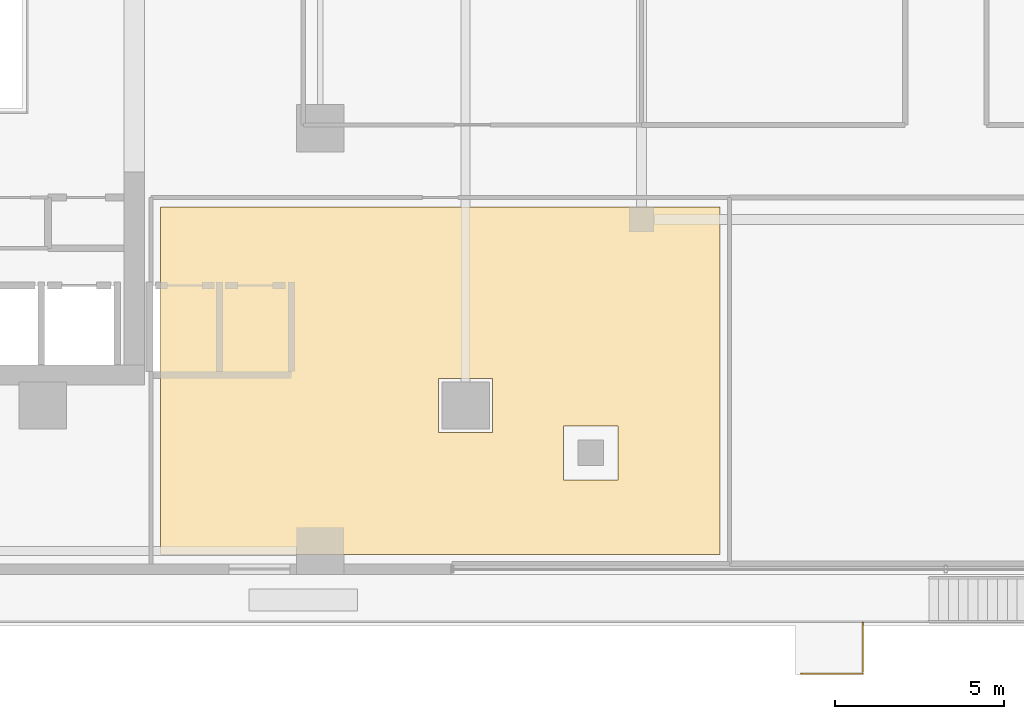
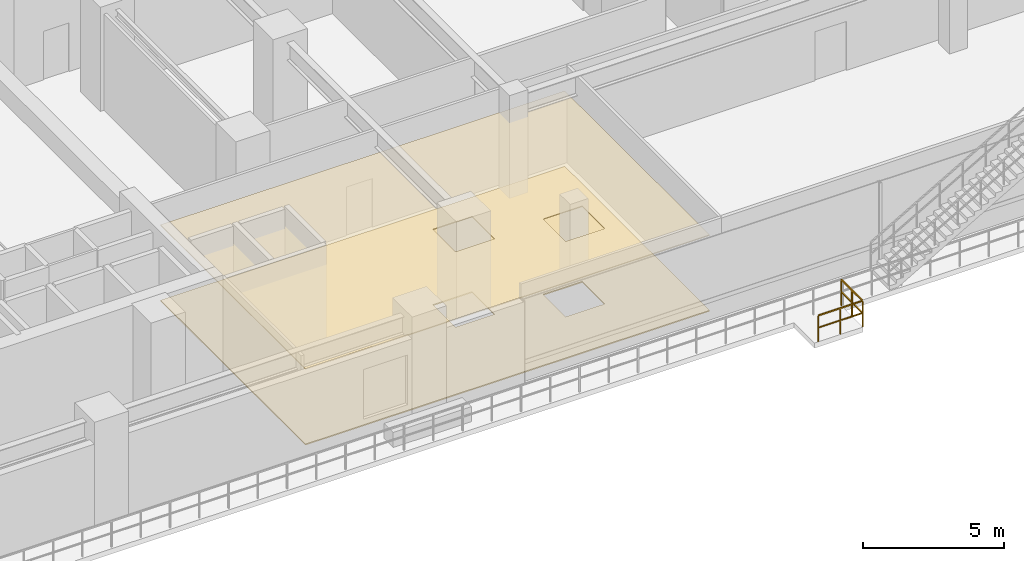
# One storey, part 21 of 24: 2 coverings, 1 railing.
"""IFC4 building model written with IfcOpenShell, lengths in metres."""

from ifc_helpers import new_model, si_unit, direction, frame, origin, origin_2d, place, context, subcontext, project, spatial, polyline, rectangle, outline, extrude, material, layer, layer_set, type_object, element, save


model = new_model("IFC4")

# Units and contexts
model_context = context("Model", 3, precision=1e-05, world=origin(), true_north=direction((0.0, 1.0)))
body_context = subcontext(model_context, "Body", "Model", "MODEL_VIEW")
ifc_project = project(units=[si_unit("LENGTHUNIT", "METRE"), si_unit("AREAUNIT", "SQUARE_METRE"), si_unit("VOLUMEUNIT", "CUBIC_METRE"), si_unit("PLANEANGLEUNIT", "RADIAN"), si_unit("MASSUNIT", "GRAM", prefix="KILO")], contexts=[model_context])

# Site, building, storey
site_placement = place(None, origin())
site = spatial("IfcSite", under=ifc_project, at=site_placement, CompositionType="ELEMENT")
building_placement = place(site_placement, origin())
building = spatial("IfcBuilding", under=site, at=building_placement, Name="Thornwick Lancets Civic Towers", CompositionType="ELEMENT")
storey_placement = place(building_placement, frame((0.0, 0.0, 14.10009765625)))
storey = spatial("IfcBuildingStorey", under=building, at=storey_placement, Name="L03", CompositionType="ELEMENT", Elevation=14.10009765625)

# Coverings
ifc_material_1 = material(Name="Perforated mineral acoustic ceiling tile")
ifc_layer_1 = layer(ifc_material_1, 0.0400390625, Name="Perforated mineral acoustic ceiling tile")
ifc_layer_set_1 = layer_set([ifc_layer_1], Name="Perforated mineral acoustic ceiling tile")
covering_type_1 = type_object("IfcCoveringType", Name="COV_CEIL_ACOUSTIC", PredefinedType="CEILING", material=ifc_layer_set_1)
covering_1_placement = place(storey_placement, frame((0.0, 0.0, 3.27392578125)))
element("IfcCovering", 1, at=covering_1_placement, inside=storey, type_object=covering_type_1, Name="L03 Terrace Reception Foyer Ceiling", PredefinedType="CEILING", context=body_context, shape_type="SweptSolid", body=[
    extrude(outline(polyline([(50.320068359375, 9.60009765625), (33.780029296875, 9.60009765625), (33.780029296875, 19.8701171875), (50.320068359375, 19.8701171875), (50.320068359375, 9.60009765625)]), holes=[polyline([(42.0, 13.199951171875), (43.60009765625, 13.199951171875), (43.60009765625, 14.800048828125), (42.0, 14.800048828125), (42.0, 13.199951171875)]), polyline([(45.699951171875, 11.800048828125), (47.300048828125, 11.800048828125), (47.300048828125, 13.39990234375), (45.699951171875, 13.39990234375), (45.699951171875, 11.800048828125)])]), origin(), (0.0, 0.0, 1.0), 0.0400390625),
])
ifc_material_2 = material(Name="Calcium-sulfate raised access floor panel")
ifc_layer_2 = layer(ifc_material_2, 0.050048828125, Name="Calcium-sulfate raised access floor panel")
ifc_layer_set_2 = layer_set([ifc_layer_2], Name="Calcium-sulfate raised access floor panel")
covering_type_2 = type_object("IfcCoveringType", Name="COV_FLOOR_RAISED", PredefinedType="FLOORING", material=ifc_layer_set_2)
covering_2_placement = place(storey_placement, origin())
element("IfcCovering", 2, at=covering_2_placement, inside=storey, type_object=covering_type_2, Name="L03 Terrace Reception Foyer Raised Access Flooring", PredefinedType="FLOORING", context=body_context, shape_type="SweptSolid", body=[
    extrude(outline(polyline([(50.320068359375, 9.60009765625), (33.780029296875, 9.60009765625), (33.780029296875, 19.8701171875), (50.320068359375, 19.8701171875), (50.320068359375, 9.60009765625)]), holes=[polyline([(42.0, 13.199951171875), (43.60009765625, 13.199951171875), (43.60009765625, 14.800048828125), (42.0, 14.800048828125), (42.0, 13.199951171875)]), polyline([(45.699951171875, 11.800048828125), (47.300048828125, 11.800048828125), (47.300048828125, 13.39990234375), (45.699951171875, 13.39990234375), (45.699951171875, 11.800048828125)])]), origin(), (0.0, 0.0, 1.0), 0.0498046875),
])

# Railing
ifc_material_3 = material(Name="Terracotta-capped laminated glass balustrade S355", Category="masonry")
railing_type = type_object("IfcRailingType", Name="RAIL_TERR_GUARD", PredefinedType="GUARDRAIL", material=ifc_material_3)
railing_placement = place(storey_placement, frame((52.719970703125, 6.070068359375, 0.0)))
element("IfcRailing", 3, at=railing_placement, inside=storey, type_object=railing_type, Name="L03 Garden Stair Landing Guard", PredefinedType="GUARDRAIL", context=body_context, shape_type="SweptSolid", body=[
    extrude(rectangle(XDim=0.048095703125, YDim=0.048095703125, at=origin_2d()), frame((0.0, 0.0, 1.1259765625), z_axis=(1.0, 0.0, 0.0), x_axis=(0.0, 1.0, 0.0)), (0.0, 0.0, 1.0), 1.788818359375),
    extrude(rectangle(XDim=0.0419921875, YDim=0.0419921875, at=origin_2d()), frame((0.03759765625, 0.0, 0.597900390625), z_axis=(1.0, 0.0, 0.0), x_axis=(0.0, 1.0, 0.0)), (0.0, 0.0, 1.0), 0.8349609375),
    extrude(rectangle(XDim=0.0419921875, YDim=0.0419921875, at=origin_2d()), frame((0.947509765625, 0.0, 0.597900390625), z_axis=(1.0, 0.0, 0.0), x_axis=(0.0, 1.0, 0.0)), (0.0, 0.0, 1.0), 0.8349609375),
    extrude(rectangle(XDim=0.048095703125, YDim=0.048095703125, at=origin_2d()), frame((1.820068359375, 0.03125, 1.1259765625), z_axis=(0.0, 1.0, 0.0), x_axis=(-1.0, 0.0, 0.0)), (0.0, 0.0, 1.0), 1.478759765625),
    extrude(rectangle(XDim=0.0419921875, YDim=0.0419921875, at=origin_2d()), frame((1.820068359375, 0.03759765625, 0.597900390625), z_axis=(0.0, 1.0, 0.0), x_axis=(-1.0, 0.0, 0.0)), (0.0, 0.0, 1.0), 0.679931640625),
    extrude(rectangle(XDim=0.0419921875, YDim=0.0419921875, at=origin_2d()), frame((1.820068359375, 0.79248046875, 0.597900390625), z_axis=(0.0, 1.0, 0.0), x_axis=(-1.0, 0.0, 0.0)), (0.0, 0.0, 1.0), 0.679931640625),
    extrude(rectangle(XDim=0.0419921875, YDim=0.0419921875, at=origin_2d()), origin(), (0.0, 0.0, 1.0), 1.095703125),
    extrude(rectangle(XDim=0.0419921875, YDim=0.0419921875, at=origin_2d()), frame((0.91015625, 0.0, 0.0)), (0.0, 0.0, 1.0), 1.095703125),
    extrude(rectangle(XDim=0.0419921875, YDim=0.0419921875, at=origin_2d()), frame((1.820068359375, 0.0, 0.0)), (0.0, 0.0, 1.0), 1.095703125),
    extrude(rectangle(XDim=0.0419921875, YDim=0.0419921875, at=origin_2d()), frame((1.820068359375, 0.7548828125, 0.0)), (0.0, 0.0, 1.0), 1.095703125),
    extrude(rectangle(XDim=0.0419921875, YDim=0.0419921875, at=origin_2d()), frame((1.820068359375, 1.510009765625, 0.0)), (0.0, 0.0, 1.0), 1.095703125),
])

save(model, "model.ifc")
